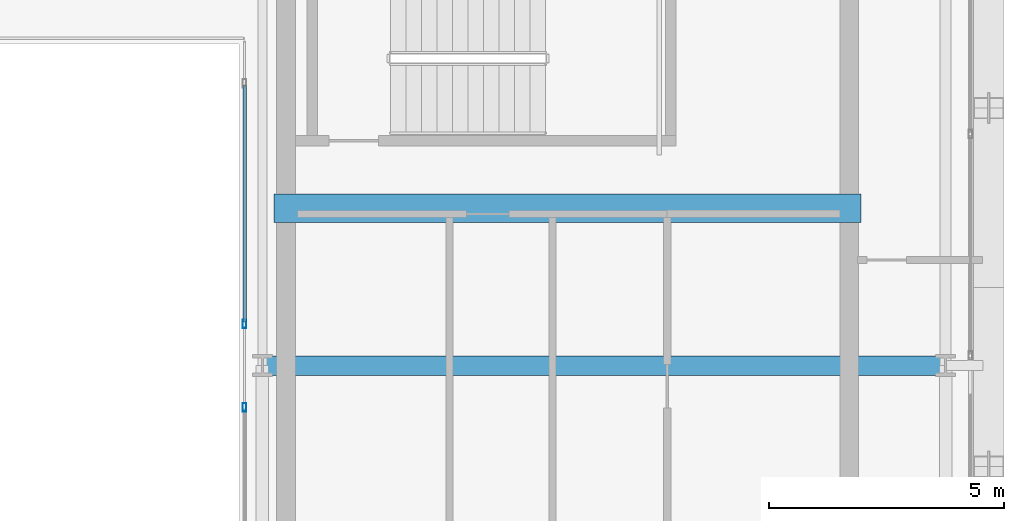
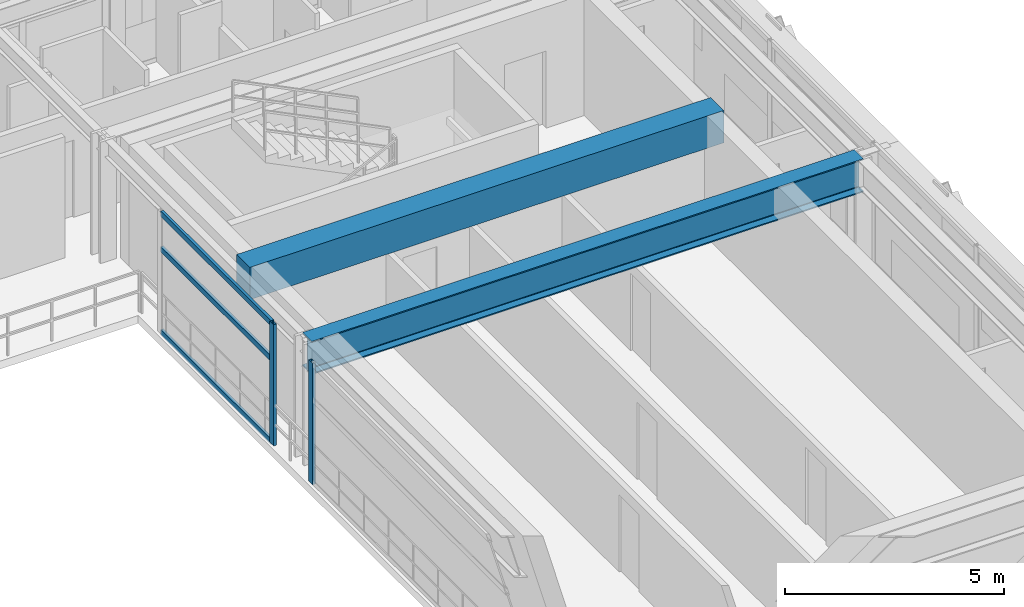
# One storey, part 12 of 29: 5 members, 2 beams, 2 elements without a shape of their own.
"""IFC4 building model written with IfcOpenShell, lengths in metres."""

from ifc_helpers import new_model, si_unit, direction, frame, origin, origin_2d, place, context, subcontext, project, spatial, rectangle, hollow_rectangle, i_section, extrude, source, transform, mapped, material, layer, layer_set, material_profile, profile_set, type_object, element, aggregate, save


model = new_model("IFC4")

# Units and contexts
model_context = context("Model", 3, precision=1e-05, world=origin(), true_north=direction((0.0, 1.0)))
body_context = subcontext(model_context, "Body", "Model", "MODEL_VIEW")
ifc_project = project(units=[si_unit("LENGTHUNIT", "METRE"), si_unit("AREAUNIT", "SQUARE_METRE"), si_unit("VOLUMEUNIT", "CUBIC_METRE"), si_unit("PLANEANGLEUNIT", "RADIAN"), si_unit("MASSUNIT", "GRAM", prefix="KILO")], contexts=[model_context])

# Site, building, storey
site_placement = place(None, origin())
site = spatial("IfcSite", under=ifc_project, at=site_placement, CompositionType="ELEMENT")
building_placement = place(site_placement, origin())
building = spatial("IfcBuilding", under=site, at=building_placement, Name="Ocotamira Hotel", CompositionType="ELEMENT")
storey_placement = place(building_placement, frame((0.0, 0.0, 236.39990234375)))
storey = spatial("IfcBuildingStorey", under=building, at=storey_placement, Name="L59", CompositionType="ELEMENT", Elevation=236.39990234375)

# Beams
ifc_material_1 = material(Name="Concrete C50/60", Category="concrete")
ifc_material_profile_1 = material_profile(ifc_material_1, rectangle(XDim=0.60009765625, YDim=0.89990234375, at=origin_2d()), Name="RC600X900")
ifc_profile_set_1 = profile_set([ifc_material_profile_1], Name="Concrete C50/60")
beam_type_1 = type_object("IfcBeamType", Name="BM-LINK-RC600", PredefinedType="LINTEL", material=ifc_profile_set_1)
shared_shape_1 = source(origin(), body_context, "Body", "SweptSolid", [
    extrude(rectangle(XDim=0.60009765625, YDim=0.89990234375, at=origin_2d()), origin(), (0.0, 0.0, 1.0), 12.5),
])
beam_1_placement = place(storey_placement, frame((40.75, 31.5, 2.93017578125), z_axis=(1.0, 0.0, 0.0), x_axis=(0.0, 1.0, 0.0)))
element("IfcBeam", 1, at=beam_1_placement, inside=storey, type_object=beam_type_1, Name="L59 East Core Coupling Beam", PredefinedType="LINTEL", context=body_context, shape_type="MappedRepresentation", body=[
    mapped(shared_shape_1, transform((0.0, 0.0, 0.0), scale=1.0)),
])
ifc_material_2 = material(Name="Steel ASTM A992 Grade 50", Category="steel")
ifc_material_profile_2 = material_profile(ifc_material_2, i_section(OverallWidth=0.41796875, OverallDepth=0.927001953125, WebThickness=0.019287109375, FlangeThickness=0.031982421875, FilletRadius=0.02392578125, at=origin_2d()), Name="W36X231")
ifc_profile_set_2 = profile_set([ifc_material_profile_2], Name="Steel ASTM A992 Grade 50")
beam_type_2 = type_object("IfcBeamType", Name="BM-GIRD-W36X231", PredefinedType="BEAM", material=ifc_profile_set_2)
shared_shape_2 = source(origin(), body_context, "Body", "SweptSolid", [
    extrude(i_section(OverallWidth=0.41796875, OverallDepth=0.927001953125, WebThickness=0.019287109375, FlangeThickness=0.031982421875, FilletRadius=0.02392578125, at=origin_2d()), origin(), (0.0, 0.0, 1.0), 14.550048828125),
])
beam_2_placement = place(storey_placement, frame((40.5, 28.14990234375, 2.91650390625), z_axis=(1.0, 0.0, 0.0), x_axis=(0.0, 1.0, 0.0)))
element("IfcBeam", 2, at=beam_2_placement, inside=storey, type_object=beam_type_2, Name="L59 Girder Y28.15 X40.5-55.05", PredefinedType="BEAM", context=body_context, shape_type="MappedRepresentation", body=[
    mapped(shared_shape_2, transform((0.0, 0.0, 0.0), scale=1.0)),
])

# Curtain wall, member
ifc_material_3 = material(Name="Anodised pale-metal aluminium and solar glass", Category="aluminium")
ifc_layer = layer(ifc_material_3, 0.159912109375)
ifc_layer_set = layer_set([ifc_layer], Name="Anodised pale-metal aluminium and solar glass")
curtain_wall_type = type_object("IfcCurtainWallType", Name="CW-SYS6-ATR", PredefinedType="NOTDEFINED", material=ifc_layer_set)
curtain_wall_1_placement = place(storey_placement, origin())
curtain_wall_1 = element("IfcCurtainWall", 3, at=curtain_wall_1_placement, inside=storey, type_object=curtain_wall_type, Name="L59 Curtain Wall CW-6 CW-L59-ATRE1", PredefinedType="NOTDEFINED")
ifc_material_4 = material(Name="Anodised pale-metal aluminium 6063-T6", Category="aluminium")
ifc_material_profile_3 = material_profile(ifc_material_4, hollow_rectangle(XDim=0.080078125, YDim=0.179931640625, WallThickness=0.006103515625, at=origin_2d()), Name="HSS180X80X6")
ifc_profile_set_3 = profile_set([ifc_material_profile_3], Name="Anodised pale-metal aluminium 6063-T6")
member_type_1 = type_object("IfcMemberType", Name="CWM-180X75", PredefinedType="MULLION", material=ifc_profile_set_3)
shared_shape_3 = source(origin(), body_context, "Body", "SweptSolid", [
    extrude(hollow_rectangle(XDim=0.080078125, YDim=0.179931640625, WallThickness=0.006103515625, at=origin_2d()), origin(), (0.0, 0.0, 1.0), 3.380126953125),
])
member_1_placement = place(storey_placement, frame((40.1201171875, 27.260009765625, 0.0), z_axis=(0.0, 0.0, 1.0), x_axis=(-1.0, 0.0, 0.0)))
member_1 = element("IfcMember", 4, at=member_1_placement, type_object=member_type_1, Name="CW-6 mullion 2", PredefinedType="MULLION", context=body_context, shape_type="MappedRepresentation", body=[
    mapped(shared_shape_3, transform((0.0, 0.0, 0.0), scale=1.0)),
])
aggregate(curtain_wall_1, [member_1])

# Curtain wall, members
curtain_wall_2_placement = place(storey_placement, origin())
curtain_wall_2 = element("IfcCurtainWall", 5, at=curtain_wall_2_placement, inside=storey, type_object=curtain_wall_type, Name="L59 Curtain Wall CW-6 CW-L59-ATRE2", PredefinedType="NOTDEFINED")
member_2_placement = place(storey_placement, frame((40.1201171875, 29.0400390625, 0.0), z_axis=(0.0, 0.0, 1.0), x_axis=(-1.0, 0.0, 0.0)))
member_2 = element("IfcMember", 6, at=member_2_placement, type_object=member_type_1, Name="CW-6 mullion 1", PredefinedType="MULLION", context=body_context, shape_type="MappedRepresentation", body=[
    mapped(shared_shape_3, transform((0.0, 0.0, 0.0), scale=1.0)),
])
ifc_material_profile_4 = material_profile(ifc_material_4, hollow_rectangle(XDim=0.074951171875, YDim=0.14990234375, WallThickness=0.006103515625, at=origin_2d()), Name="HSS150X75X6")
ifc_profile_set_4 = profile_set([ifc_material_profile_4], Name="Anodised pale-metal aluminium 6063-T6")
member_type_2 = type_object("IfcMemberType", Name="CWT-150X75", PredefinedType="USERDEFINED", material=ifc_profile_set_4)
shared_shape_4 = source(origin(), body_context, "Body", "SweptSolid", [
    extrude(hollow_rectangle(XDim=0.074951171875, YDim=0.14990234375, WallThickness=0.006103515625, at=origin_2d()), origin(), (0.0, 0.0, 1.0), 5.0400390625),
])
member_3_placement = place(storey_placement, frame((40.1201171875, 29.080078125, 0.03759765625), z_axis=(0.0, 1.0, 0.0), x_axis=(-1.0, 0.0, 0.0)))
member_3 = element("IfcMember", 7, at=member_3_placement, type_object=member_type_2, Name="CW-6 transom 1.1", ObjectType="TRANSOM", PredefinedType="USERDEFINED", context=body_context, shape_type="MappedRepresentation", body=[
    mapped(shared_shape_4, transform((0.0, 0.0, 0.0), scale=1.0)),
])
member_4_placement = place(storey_placement, frame((40.1201171875, 29.080078125, 2.35009765625), z_axis=(0.0, 1.0, 0.0), x_axis=(-1.0, 0.0, 0.0)))
member_4 = element("IfcMember", 8, at=member_4_placement, type_object=member_type_2, Name="CW-6 transom 1.2", ObjectType="TRANSOM", PredefinedType="USERDEFINED", context=body_context, shape_type="MappedRepresentation", body=[
    mapped(shared_shape_4, transform((0.0, 0.0, 0.0), scale=1.0)),
])
member_5_placement = place(storey_placement, frame((40.1201171875, 29.080078125, 3.342529296875), z_axis=(0.0, 1.0, 0.0), x_axis=(-1.0, 0.0, 0.0)))
member_5 = element("IfcMember", 9, at=member_5_placement, type_object=member_type_2, Name="CW-6 transom 1.3", ObjectType="TRANSOM", PredefinedType="USERDEFINED", context=body_context, shape_type="MappedRepresentation", body=[
    mapped(shared_shape_4, transform((0.0, 0.0, 0.0), scale=1.0)),
])
aggregate(curtain_wall_2, [member_2, member_3, member_4, member_5])

save(model, "model.ifc")
